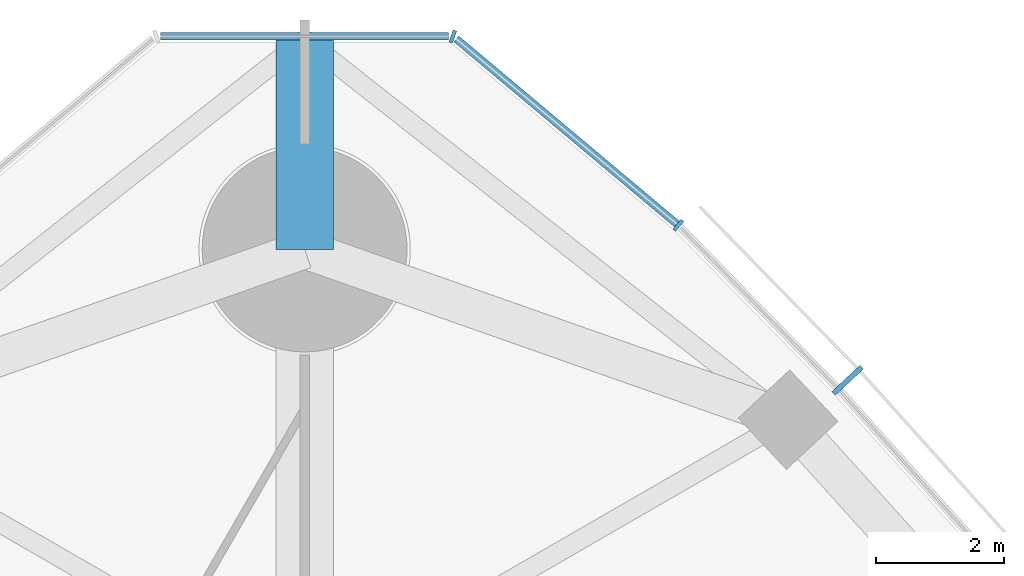
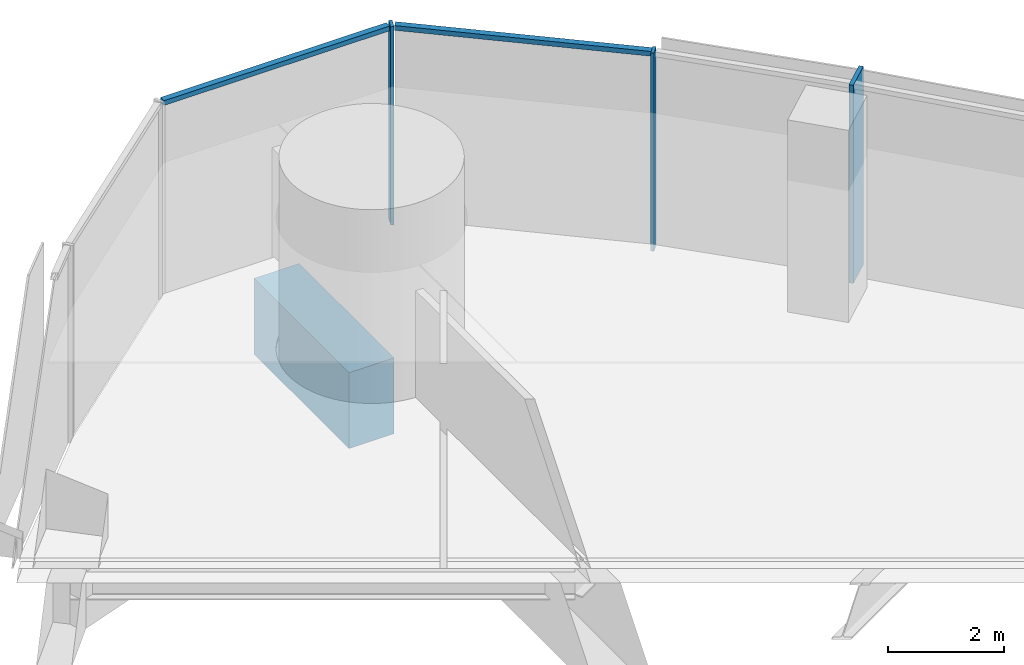
# One storey, part 8 of 20: 5 members, 1 beam, 2 elements without a shape of their own.
"""IFC4 building model written with IfcOpenShell, lengths in metres."""

import ifcopenshell
import ifcopenshell.guid

model = None  # the IFC model being written
_history = None  # IfcOwnerHistory: only IFC2X3 demands one
_inside = {}  # id of a spatial element -> (the spatial element, [elements in it])
_under = {}  # id of a project, library or spatial element -> (it, [spatial elements below it])
_declared = {}  # id of a project -> (the project, [libraries it declares])
_typed = {}  # id of a type object -> (the type object, [elements of that type])
_made_of = {}  # id of a material, layer set ... -> (it, [elements and type objects made of it])


def new_model(schema):
    """Start an empty IFC model of exactly this schema.

    Asked for "IFC4X3", IfcOpenShell would pick the latest addendum, in which some entities
    have other attributes; the version numbers below select the first issue.
    IFC2X3 requires an IfcOwnerHistory on every rooted entity: one is made here for all.
    """
    global model, _history
    if schema == "IFC4X3":
        model = ifcopenshell.file(schema_version=(4, 3, 0, 0))
    else:
        model = ifcopenshell.file(schema=schema)
    _inside.clear()
    _under.clear()
    _declared.clear()
    _typed.clear()
    _made_of.clear()
    _history = None
    if model.schema == "IFC2X3":
        org = make("IfcOrganization", Name="unknown")
        user = make(
            "IfcPersonAndOrganization",
            ThePerson=make("IfcPerson", FamilyName="unknown"),
            TheOrganization=org,
        )
        app = make(
            "IfcApplication",
            ApplicationDeveloper=org,
            Version="unknown",
            ApplicationFullName="unknown",
            ApplicationIdentifier="unknown",
        )
        _history = make(
            "IfcOwnerHistory",
            OwningUser=user,
            OwningApplication=app,
            ChangeAction="ADDED",
            CreationDate=0,
        )
    return model


def make(cls, **values):
    """One entity of the class cls with the attributes given. An attribute that is None is left unset."""
    return model.create_entity(
        cls, **{name: value for name, value in values.items() if value is not None}
    )


def rooted(cls, **values):
    """An entity with a GlobalId (a new one), such as an element, a storey or a relation."""
    return make(cls, GlobalId=ifcopenshell.guid.new(), OwnerHistory=_history, **values)


def si_unit(unit_type, name, prefix=None):
    """IfcSIUnit, for example si_unit("LENGTHUNIT", "METRE", prefix="MILLI")."""
    return make("IfcSIUnit", UnitType=unit_type, Prefix=prefix, Name=name)


def assignment(units):
    """IfcUnitAssignment: the units of a project."""
    return None if units is None else make("IfcUnitAssignment", Units=units)


def point(xyz):
    """IfcCartesianPoint."""
    return None if xyz is None else make("IfcCartesianPoint", Coordinates=xyz)


def direction(xyz):
    """IfcDirection."""
    return None if xyz is None else make("IfcDirection", DirectionRatios=xyz)


def frame(location, z_axis=None, x_axis=None):
    """IfcAxis2Placement3D, a coordinate frame: its origin and axes. An axis left out is left unset."""
    return make(
        "IfcAxis2Placement3D",
        Location=point(location),
        Axis=direction(z_axis),
        RefDirection=direction(x_axis),
    )


def frame_2d(location, x_axis=None):
    """IfcAxis2Placement2D, a coordinate frame in the plane: its origin and x axis."""
    return make(
        "IfcAxis2Placement2D", Location=point(location), RefDirection=direction(x_axis)
    )


def origin():
    """The frame at (0, 0, 0) with its axes left unset."""
    return frame((0.0, 0.0, 0.0))


def origin_2d():
    """The frame at (0, 0) in the plane with its x axis left unset."""
    return frame_2d((0.0, 0.0))


def place(relative_to, where):
    """IfcLocalPlacement: puts the frame where relative to a parent placement (None: the world)."""
    return make(
        "IfcLocalPlacement", PlacementRelTo=relative_to, RelativePlacement=where
    )


def context(
    kind, dimensions, precision=None, world=None, true_north=None, identifier=None
):
    """IfcGeometricRepresentationContext, for example the 3D "Model" context."""
    return make(
        "IfcGeometricRepresentationContext",
        ContextIdentifier=identifier,
        ContextType=kind,
        CoordinateSpaceDimension=dimensions,
        Precision=precision,
        WorldCoordinateSystem=world,
        TrueNorth=true_north,
    )


def subcontext(parent, identifier, kind, view, scale=None):
    """IfcGeometricRepresentationSubContext, for example "Body" below "Model"."""
    return make(
        "IfcGeometricRepresentationSubContext",
        ContextIdentifier=identifier,
        ContextType=kind,
        ParentContext=parent,
        TargetScale=scale,
        TargetView=view,
    )


def project(units=None, contexts=None):
    """IfcProject with its units and contexts."""
    return rooted(
        "IfcProject",
        Name="project",
        RepresentationContexts=contexts,
        UnitsInContext=assignment(units),
    )


def spatial(cls, under=None, at=None, **own):
    """A site, building, storey or space (cls), placed at a placement, below another one or the project."""
    s = rooted(cls, ObjectPlacement=at, **own)
    if under is not None:
        _under.setdefault(under.id(), (under, []))[1].append(s)
    return s


def profile(cls, at=None, kind="AREA", **sizes):
    """A parametric profile (cls). Its sizes go by their IFC names, for example OverallWidth=200.0."""
    return make(cls, ProfileType=kind, Position=at, **sizes)


def rectangle(**sizes):
    """IfcRectangleProfileDef."""
    return profile("IfcRectangleProfileDef", **sizes)


def extrude(swept, where, along, depth):
    """IfcExtrudedAreaSolid: the profile swept, set in the frame where, extruded along a direction by depth."""
    return make(
        "IfcExtrudedAreaSolid",
        SweptArea=swept,
        Position=where,
        ExtrudedDirection=direction(along),
        Depth=depth,
    )


def shape(context_of_items, identifier, shape_type, items):
    """IfcShapeRepresentation: the items that make up one representation, for example the "Body"."""
    return make(
        "IfcShapeRepresentation",
        ContextOfItems=context_of_items,
        RepresentationIdentifier=identifier,
        RepresentationType=shape_type,
        Items=items,
    )


def material(Name=None, Category=None):
    """IfcMaterial."""
    return make("IfcMaterial", Name=Name, Category=Category)


def material_profile(
    of_material, cross_section, Name=None, Category=None, Priority=None
):
    """IfcMaterialProfile: a cross section and its material."""
    return make(
        "IfcMaterialProfile",
        Name=Name,
        Material=of_material,
        Profile=cross_section,
        Priority=Priority,
        Category=Category,
    )


def profile_set(profiles, Name=None, composite=None):
    """IfcMaterialProfileSet."""
    return make(
        "IfcMaterialProfileSet",
        Name=Name,
        MaterialProfiles=profiles,
        CompositeProfile=composite,
    )


def made_of(thing, what):
    """Note that an element or type object is made of a material, layer set ...; save() writes the relation."""
    if what is not None:
        _made_of.setdefault(what.id(), (what, []))[1].append(thing)
    return thing


def type_object(cls, material=None, **own):
    """A type object (cls), such as IfcWallType, which elements share."""
    return made_of(rooted(cls, **own), material)


def element(
    cls,
    number,
    at=None,
    inside=None,
    cuts=None,
    type_object=None,
    material=None,
    context=None,
    identifier="Body",
    shape_type=None,
    held_by="IfcProductDefinitionShape",
    body=None,
    shapes=None,
    **own,
):
    """One element of the class cls, such as IfcWall. Its Tag is "e" and its number.

    at: its placement. inside: the storey or other place that contains it. cuts: it is an
    opening in that element (IfcRelVoidsElement). A single representation is given by context,
    identifier, shape_type and body (its items); several are given by shapes. held_by: the class
    of the entity that holds the representations. save() writes the other relations.
    """
    e = rooted(cls, Tag="e%d" % number, ObjectPlacement=at, **own)
    if body is not None:
        shapes = [shape(context, identifier, shape_type, body)]
    if shapes is not None:
        e.Representation = make(held_by, Representations=shapes)
    if inside is not None:
        _inside.setdefault(inside.id(), (inside, []))[1].append(e)
    if cuts is not None:
        rooted(
            "IfcRelVoidsElement", RelatingBuildingElement=cuts, RelatedOpeningElement=e
        )
    if type_object is not None:
        _typed.setdefault(type_object.id(), (type_object, []))[1].append(e)
    return made_of(e, material)


def aggregate(whole, parts):
    """IfcRelAggregates: a whole, such as a stair, and the parts it consists of."""
    return rooted("IfcRelAggregates", RelatingObject=whole, RelatedObjects=parts)


def save(model, path):
    """Write the relations noted so far, then the file.

    IfcRelAggregates (storeys below a building ...), IfcRelContainedInSpatialStructure (elements
    in a storey), IfcRelDefinesByType, IfcRelAssociatesMaterial and IfcRelDeclares: one each for
    every whole, place, type object, material and project.
    """
    for whole, parts in _under.values():
        aggregate(whole, parts)
    for where, things in _inside.values():
        rooted(
            "IfcRelContainedInSpatialStructure",
            RelatedElements=things,
            RelatingStructure=where,
        )
    for kind, things in _typed.values():
        rooted("IfcRelDefinesByType", RelatedObjects=things, RelatingType=kind)
    for what, things in _made_of.values():
        rooted("IfcRelAssociatesMaterial", RelatedObjects=things, RelatingMaterial=what)
    for by, libraries in _declared.values():
        rooted("IfcRelDeclares", RelatingContext=by, RelatedDefinitions=libraries)
    model.write(path)


model = new_model("IFC4")

# Units and contexts
model_context = context("Model", 3, precision=1e-05, world=origin(), true_north=direction((0.0, 1.0)))
body_context = subcontext(model_context, "Body", "Model", "MODEL_VIEW")
ifc_project = project(units=[si_unit("LENGTHUNIT", "METRE"), si_unit("AREAUNIT", "SQUARE_METRE"), si_unit("VOLUMEUNIT", "CUBIC_METRE"), si_unit("PLANEANGLEUNIT", "RADIAN"), si_unit("MASSUNIT", "GRAM", prefix="KILO")], contexts=[model_context])

# Site, building, storey
site_placement = place(None, origin())
site = spatial("IfcSite", under=ifc_project, at=site_placement, CompositionType="ELEMENT")
building_placement = place(site_placement, origin())
building = spatial("IfcBuilding", under=site, at=building_placement, Name="Trefoil Bronze Tower", CompositionType="ELEMENT")
storey_placement = place(building_placement, frame((0.0, 0.0, 214.89990234375)))
storey = spatial("IfcBuildingStorey", under=building, at=storey_placement, Name="L49", CompositionType="ELEMENT", Elevation=214.89990234375)

# Curtain wall, member
ifc_material_1 = material(Name="Tinted solar-control glass", Category="glass")
curtain_wall_type_1 = type_object("IfcCurtainWallType", Name="Bronze office curtain wall", PredefinedType="USERDEFINED", material=ifc_material_1)
curtain_wall_1_placement = place(storey_placement, origin())
curtain_wall_1 = element("IfcCurtainWall", 1, at=curtain_wall_1_placement, inside=storey, type_object=curtain_wall_type_1, Name="CW-A L49 F2", ObjectType="CURTAIN WALL", PredefinedType="USERDEFINED")
ifc_material_2 = material(Name="Bronze-finish aluminium", Category="aluminium")
ifc_material_profile_1 = material_profile(ifc_material_2, rectangle(XDim=0.60009765625, YDim=0.080078125, at=origin_2d()), Name="CW-A mullion")
ifc_profile_set_1 = profile_set([ifc_material_profile_1], Name="Bronze-finish aluminium")
member_type_1 = type_object("IfcMemberType", Name="Bronze office curtain wall mullion", PredefinedType="MULLION", material=ifc_profile_set_1)
member_1_placement = place(storey_placement, frame((8.482177734375, 30.95654296875, 0.0), z_axis=(0.0, 0.0, 1.0), x_axis=(-0.729859580661, -0.683597098091, 0.0)))
member_1 = element("IfcMember", 2, at=member_1_placement, type_object=member_type_1, Name="CW-A L49 F2 mullion 12", PredefinedType="MULLION", context=body_context, shape_type="SweptSolid", body=[
    extrude(rectangle(XDim=0.60009765625, YDim=0.080078125, at=origin_2d()), origin(), (0.0, 0.0, 1.0), 4.18017578125),
])
aggregate(curtain_wall_1, [member_1])

# Curtain wall, members
ifc_material_3 = material(Name="Tinted solar-control glass", Category="glass")
curtain_wall_type_2 = type_object("IfcCurtainWallType", Name="Bronze rounded corner curtain wall", PredefinedType="USERDEFINED", material=ifc_material_3)
curtain_wall_2_placement = place(storey_placement, origin())
curtain_wall_2 = element("IfcCurtainWall", 3, at=curtain_wall_2_placement, inside=storey, type_object=curtain_wall_type_2, Name="CW-B L49 K2", ObjectType="CURTAIN WALL", PredefinedType="USERDEFINED")
ifc_material_4 = material(Name="Bronze-finish aluminium", Category="aluminium")
ifc_material_profile_2 = material_profile(ifc_material_4, rectangle(XDim=0.199951171875, YDim=0.06005859375, at=origin_2d()), Name="CW-B mullion")
ifc_profile_set_2 = profile_set([ifc_material_profile_2], Name="Bronze-finish aluminium")
member_type_2 = type_object("IfcMemberType", Name="Bronze rounded corner curtain wall mullion", PredefinedType="MULLION", material=ifc_profile_set_2)
member_2_placement = place(storey_placement, frame((5.837890625, 33.3779296875, 0.0), z_axis=(0.0, 0.0, 1.0), x_axis=(-0.642787609687, -0.766044443119, 0.0)))
member_2 = element("IfcMember", 4, at=member_2_placement, type_object=member_type_2, Name="CW-B L49 K2 mullion 1", PredefinedType="MULLION", context=body_context, shape_type="SweptSolid", body=[
    extrude(rectangle(XDim=0.199951171875, YDim=0.06005859375, at=origin_2d()), origin(), (0.0, 0.0, 1.0), 4.18017578125),
])
member_3_placement = place(storey_placement, frame((2.314453125, 36.326416015625, 0.0), z_axis=(0.0, 0.0, 1.0), x_axis=(-0.342020143326, -0.939692620786, 0.0)))
member_3 = element("IfcMember", 5, at=member_3_placement, type_object=member_type_2, Name="CW-B L49 K2 mullion 2", PredefinedType="MULLION", context=body_context, shape_type="SweptSolid", body=[
    extrude(rectangle(XDim=0.199951171875, YDim=0.06005859375, at=origin_2d()), origin(), (0.0, 0.0, 1.0), 4.18017578125),
])
ifc_material_5 = material(Name="Bronze-finish aluminium", Category="aluminium")
ifc_material_profile_3 = material_profile(ifc_material_5, rectangle(XDim=0.1201171875, YDim=0.10009765625, at=origin_2d()), Name="CW-B transom")
ifc_profile_set_3 = profile_set([ifc_material_profile_3], Name="Bronze-finish aluminium")
member_type_3 = type_object("IfcMemberType", Name="Bronze rounded corner curtain wall transom", PredefinedType="USERDEFINED", material=ifc_profile_set_3)
member_4_placement = place(storey_placement, frame((5.814697265625, 33.397216796875, 4.130126953125), z_axis=(-0.766046761698, 0.642784846501, 0.0), x_axis=(-0.642784846501, -0.766046761698, 0.0)))
member_4 = element("IfcMember", 6, at=member_4_placement, type_object=member_type_3, Name="CW-B L49 K2 transom 1", ObjectType="TRANSOM", PredefinedType="USERDEFINED", context=body_context, shape_type="SweptSolid", body=[
    extrude(rectangle(XDim=0.1201171875, YDim=0.10009765625, at=origin_2d()), origin(), (0.0, 0.0, 1.0), 4.5),
])
member_5_placement = place(storey_placement, frame((2.250244140625, 36.33251953125, 4.130126953125), z_axis=(-1.0, 0.0, 0.0), x_axis=(0.0, -1.0, 0.0)))
member_5 = element("IfcMember", 7, at=member_5_placement, type_object=member_type_3, Name="CW-B L49 K2 transom 2", ObjectType="TRANSOM", PredefinedType="USERDEFINED", context=body_context, shape_type="SweptSolid", body=[
    extrude(rectangle(XDim=0.1201171875, YDim=0.10009765625, at=origin_2d()), origin(), (0.0, 0.0, 1.0), 4.50048828125),
])
aggregate(curtain_wall_2, [member_2, member_3, member_4, member_5])

# Beam
ifc_material_6 = material(Name="Concrete B80", Category="concrete")
ifc_material_profile_4 = material_profile(ifc_material_6, rectangle(XDim=0.89990234375, YDim=1.60009765625, at=origin_2d()), Name="RC 900x1600")
ifc_profile_set_4 = profile_set([ifc_material_profile_4], Name="Concrete B80")
beam_type = type_object("IfcBeamType", Name="Corner cantilever RC 900x1600", PredefinedType="BEAM", material=ifc_profile_set_4)
beam_placement = place(storey_placement, frame((0.0, 33.0, -1.0), z_axis=(0.0, 1.0, 0.0), x_axis=(-1.0, 0.0, 0.0)))
element("IfcBeam", 8, at=beam_placement, inside=storey, type_object=beam_type, Name="Corner cantilever K2 L49", PredefinedType="BEAM", context=body_context, shape_type="SweptSolid", body=[
    extrude(rectangle(XDim=0.89990234375, YDim=1.60009765625, at=origin_2d()), origin(), (0.0, 0.0, 1.0), 3.28466796875),
])

save(model, "model.ifc")
